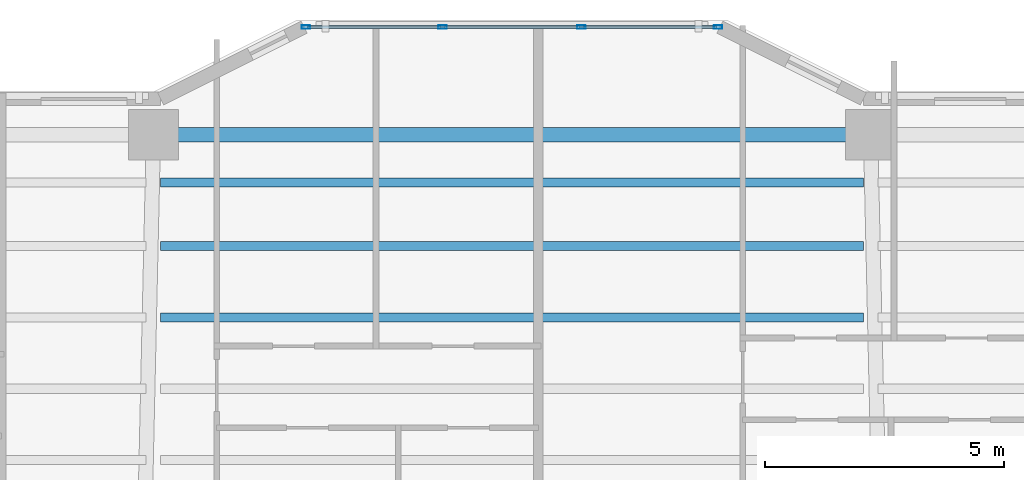
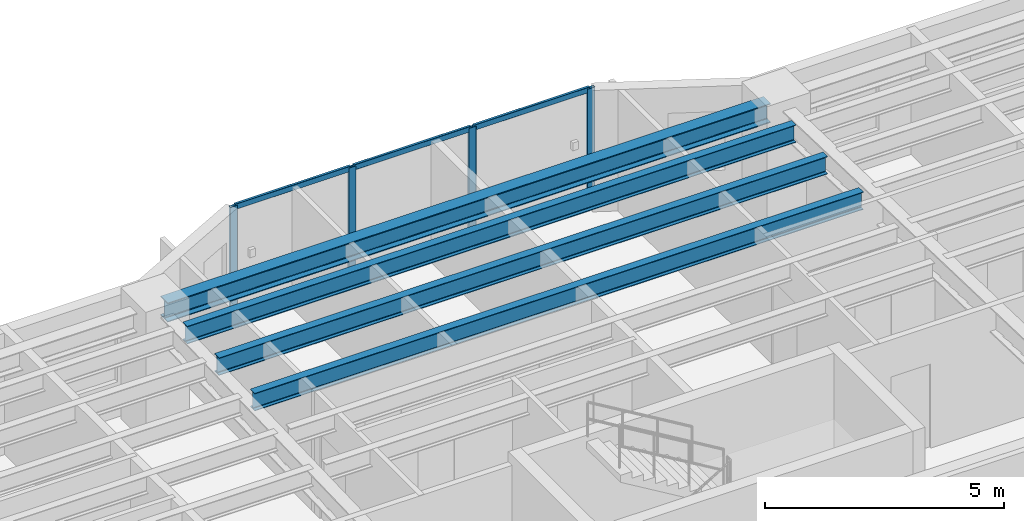
# One storey, part 4 of 19: 10 members, 4 beams, 1 element without a shape of its own.
"""IFC4 building model written with IfcOpenShell, lengths in metres."""

from ifc_helpers import new_model, si_unit, direction, frame, origin, origin_2d, place, context, subcontext, project, spatial, hollow_rectangle, i_section, extrude, material, layer, layer_set, material_profile, profile_set, type_object, element, aggregate, save


model = new_model("IFC4")

# Units and contexts
model_context = context("Model", 3, precision=1e-05, world=origin(), true_north=direction((0.0, 1.0)))
body_context = subcontext(model_context, "Body", "Model", "MODEL_VIEW")
ifc_project = project(units=[si_unit("LENGTHUNIT", "METRE"), si_unit("AREAUNIT", "SQUARE_METRE"), si_unit("VOLUMEUNIT", "CUBIC_METRE"), si_unit("PLANEANGLEUNIT", "RADIAN"), si_unit("MASSUNIT", "GRAM", prefix="KILO")], contexts=[model_context])

# Site, building, storey
site_placement = place(None, origin())
site = spatial("IfcSite", under=ifc_project, at=site_placement, CompositionType="ELEMENT")
building_placement = place(site_placement, origin())
building = spatial("IfcBuilding", under=site, at=building_placement, Name="Tarnavaz Court Tower", CompositionType="ELEMENT")
storey_placement = place(building_placement, frame((0.0, 0.0, 111.800048828125)))
storey = spatial("IfcBuildingStorey", under=building, at=storey_placement, Name="L30", CompositionType="ELEMENT", Elevation=111.800048828125)

# Beams
ifc_material_1 = material(Name="Steel S355", Category="steel")
ifc_material_profile_1 = material_profile(ifc_material_1, i_section(OverallWidth=0.18994140625, OverallDepth=0.449951171875, WebThickness=0.009521484375, FlangeThickness=0.0146484375, FilletRadius=0.02099609375, at=origin_2d()), Name="IPE 450")
ifc_profile_set_1 = profile_set([ifc_material_profile_1], Name="Steel S355")
beam_type_1 = type_object("IfcBeamType", Name="BM-J-IPE450", PredefinedType="JOIST", material=ifc_profile_set_1)
for number, where, z_axis, x_axis, name in (
    (1, (-7.35009765625, 17.48193359375, 2.875), (1.0, 0.0, 0.0), (0.0, 1.0, 0.0), "L30 Beam JN3-2"),
    (2, (-7.35009765625, 18.97607421875, 2.875), (1.0, 0.0, 0.0), (0.0, 1.0, 0.0), "L30 Beam JN4-2"),
    (3, (-7.35009765625, 20.303955078125, 2.875), (1.0, 0.0, 0.0), (0.0, 1.0, 0.0), "L30 Beam JN5-2"),
):
    element("IfcBeam", number, at=place(storey_placement, frame(where, z_axis=z_axis, x_axis=x_axis)), inside=storey, type_object=beam_type_1, Name=name, PredefinedType="JOIST", context=body_context, shape_type="SweptSolid", body=[
        extrude(i_section(OverallWidth=0.18994140625, OverallDepth=0.449951171875, WebThickness=0.009521484375, FlangeThickness=0.0146484375, FilletRadius=0.02099609375, at=origin_2d()), origin(), (0.0, 0.0, 1.0), 14.7001953125),
    ])
ifc_material_profile_2 = material_profile(ifc_material_1, i_section(OverallWidth=0.300048828125, OverallDepth=0.489990234375, WebThickness=0.011962890625, FlangeThickness=0.02294921875, FilletRadius=0.027099609375, at=origin_2d()), Name="HEA 500")
ifc_profile_set_2 = profile_set([ifc_material_profile_2], Name="Steel S355")
beam_type_2 = type_object("IfcBeamType", Name="BM-SP-HEA500", PredefinedType="SPANDREL", material=ifc_profile_set_2)
beam_placement = place(storey_placement, frame((-7.280029296875, 21.300048828125, 2.85498046875), z_axis=(1.0, 0.0, 0.0), x_axis=(0.0, 1.0, 0.0)))
element("IfcBeam", 4, at=beam_placement, inside=storey, type_object=beam_type_2, Name="L30 Beam PR-PN-2-PN-3", PredefinedType="SPANDREL", context=body_context, shape_type="SweptSolid", body=[
    extrude(i_section(OverallWidth=0.300048828125, OverallDepth=0.489990234375, WebThickness=0.011962890625, FlangeThickness=0.02294921875, FilletRadius=0.027099609375, at=origin_2d()), origin(), (0.0, 0.0, 1.0), 14.56005859375),
])

# Curtain wall, members
ifc_material_2 = material(Name="Anodised Aluminium 6063-T6 and Solar Low-E Glazing", Category="aluminium")
ifc_layer = layer(ifc_material_2, 0.179931640625)
ifc_layer_set = layer_set([ifc_layer], Name="Anodised Aluminium 6063-T6 and Solar Low-E Glazing")
curtain_wall_type = type_object("IfcCurtainWallType", Name="CW-SYS-02", PredefinedType="NOTDEFINED", material=ifc_layer_set)
curtain_wall_placement = place(storey_placement, origin())
curtain_wall = element("IfcCurtainWall", 5, at=curtain_wall_placement, inside=storey, type_object=curtain_wall_type, Name="L30 Iwan Prow Curtain Wall 7", PredefinedType="NOTDEFINED")
ifc_material_3 = material(Name="Anodised Aluminium 6063-T6", Category="aluminium")
ifc_material_profile_3 = material_profile(ifc_material_3, hollow_rectangle(XDim=0.074951171875, YDim=0.179931640625, WallThickness=0.0048828125, InnerFilletRadius=0.0048828125, OuterFilletRadius=0.010009765625, at=origin_2d()), Name="ALU RHS 180X75X5")
ifc_profile_set_3 = profile_set([ifc_material_profile_3], Name="Anodised Aluminium 6063-T6")
member_type_1 = type_object("IfcMemberType", Name="CW-MUL-180", PredefinedType="MULLION", material=ifc_profile_set_3)
member_1_placement = place(storey_placement, frame((-4.3125, 23.550048828125, 0.0), z_axis=(0.0, 0.0, 1.0), x_axis=(0.0, 1.0, 0.0)))
member_1 = element("IfcMember", 6, at=member_1_placement, type_object=member_type_1, Name="CW mullion 1", PredefinedType="MULLION", context=body_context, shape_type="SweptSolid", body=[
    extrude(hollow_rectangle(XDim=0.074951171875, YDim=0.179931640625, WallThickness=0.0048828125, InnerFilletRadius=0.0048828125, OuterFilletRadius=0.010009765625, at=origin_2d()), origin(), (0.0, 0.0, 1.0), 3.099853515625),
])
member_2_placement = place(storey_placement, frame((-1.449951171875, 23.550048828125, 0.0), z_axis=(0.0, 0.0, 1.0), x_axis=(0.0, 1.0, 0.0)))
member_2 = element("IfcMember", 7, at=member_2_placement, type_object=member_type_1, Name="CW mullion 2", PredefinedType="MULLION", context=body_context, shape_type="SweptSolid", body=[
    extrude(hollow_rectangle(XDim=0.074951171875, YDim=0.179931640625, WallThickness=0.0048828125, InnerFilletRadius=0.0048828125, OuterFilletRadius=0.010009765625, at=origin_2d()), origin(), (0.0, 0.0, 1.0), 3.099853515625),
])
member_3_placement = place(storey_placement, frame((1.449951171875, 23.550048828125, 0.0), z_axis=(0.0, 0.0, 1.0), x_axis=(0.0, 1.0, 0.0)))
member_3 = element("IfcMember", 8, at=member_3_placement, type_object=member_type_1, Name="CW mullion 3", PredefinedType="MULLION", context=body_context, shape_type="SweptSolid", body=[
    extrude(hollow_rectangle(XDim=0.074951171875, YDim=0.179931640625, WallThickness=0.0048828125, InnerFilletRadius=0.0048828125, OuterFilletRadius=0.010009765625, at=origin_2d()), origin(), (0.0, 0.0, 1.0), 3.099853515625),
])
member_4_placement = place(storey_placement, frame((4.3125, 23.550048828125, 0.0), z_axis=(0.0, 0.0, 1.0), x_axis=(0.0, 1.0, 0.0)))
member_4 = element("IfcMember", 9, at=member_4_placement, type_object=member_type_1, Name="CW mullion 4", PredefinedType="MULLION", context=body_context, shape_type="SweptSolid", body=[
    extrude(hollow_rectangle(XDim=0.074951171875, YDim=0.179931640625, WallThickness=0.0048828125, InnerFilletRadius=0.0048828125, OuterFilletRadius=0.010009765625, at=origin_2d()), origin(), (0.0, 0.0, 1.0), 3.099853515625),
])
ifc_material_profile_4 = material_profile(ifc_material_3, hollow_rectangle(XDim=0.06494140625, YDim=0.139892578125, WallThickness=0.00390625, InnerFilletRadius=0.00390625, OuterFilletRadius=0.008056640625, at=origin_2d()), Name="ALU RHS 140X65X4")
ifc_profile_set_4 = profile_set([ifc_material_profile_4], Name="Anodised Aluminium 6063-T6")
member_type_2 = type_object("IfcMemberType", Name="CW-TRN-140", PredefinedType="USERDEFINED", material=ifc_profile_set_4)
member_5_placement = place(storey_placement, frame((-4.27490234375, 23.550048828125, 0.032470703125), z_axis=(1.0, 0.0, 0.0), x_axis=(0.0, 1.0, 0.0)))
member_5 = element("IfcMember", 10, at=member_5_placement, type_object=member_type_2, Name="CW transom 1.1", ObjectType="TRANSOM", PredefinedType="USERDEFINED", context=body_context, shape_type="SweptSolid", body=[
    extrude(hollow_rectangle(XDim=0.06494140625, YDim=0.139892578125, WallThickness=0.00390625, InnerFilletRadius=0.00390625, OuterFilletRadius=0.008056640625, at=origin_2d()), origin(), (0.0, 0.0, 1.0), 2.787353515625),
])
member_6_placement = place(storey_placement, frame((-4.27490234375, 23.550048828125, 3.0673828125), z_axis=(1.0, 0.0, 0.0), x_axis=(0.0, 1.0, 0.0)))
member_6 = element("IfcMember", 11, at=member_6_placement, type_object=member_type_2, Name="CW transom 1.2", ObjectType="TRANSOM", PredefinedType="USERDEFINED", context=body_context, shape_type="SweptSolid", body=[
    extrude(hollow_rectangle(XDim=0.06494140625, YDim=0.139892578125, WallThickness=0.00390625, InnerFilletRadius=0.00390625, OuterFilletRadius=0.008056640625, at=origin_2d()), origin(), (0.0, 0.0, 1.0), 2.787353515625),
])
member_7_placement = place(storey_placement, frame((-1.41259765625, 23.550048828125, 0.032470703125), z_axis=(1.0, 0.0, 0.0), x_axis=(0.0, 1.0, 0.0)))
member_7 = element("IfcMember", 12, at=member_7_placement, type_object=member_type_2, Name="CW transom 2.1", ObjectType="TRANSOM", PredefinedType="USERDEFINED", context=body_context, shape_type="SweptSolid", body=[
    extrude(hollow_rectangle(XDim=0.06494140625, YDim=0.139892578125, WallThickness=0.00390625, InnerFilletRadius=0.00390625, OuterFilletRadius=0.008056640625, at=origin_2d()), origin(), (0.0, 0.0, 1.0), 2.8251953125),
])
member_8_placement = place(storey_placement, frame((-1.41259765625, 23.550048828125, 3.0673828125), z_axis=(1.0, 0.0, 0.0), x_axis=(0.0, 1.0, 0.0)))
member_8 = element("IfcMember", 13, at=member_8_placement, type_object=member_type_2, Name="CW transom 2.2", ObjectType="TRANSOM", PredefinedType="USERDEFINED", context=body_context, shape_type="SweptSolid", body=[
    extrude(hollow_rectangle(XDim=0.06494140625, YDim=0.139892578125, WallThickness=0.00390625, InnerFilletRadius=0.00390625, OuterFilletRadius=0.008056640625, at=origin_2d()), origin(), (0.0, 0.0, 1.0), 2.8251953125),
])
member_9_placement = place(storey_placement, frame((1.487548828125, 23.550048828125, 0.032470703125), z_axis=(1.0, 0.0, 0.0), x_axis=(0.0, 1.0, 0.0)))
member_9 = element("IfcMember", 14, at=member_9_placement, type_object=member_type_2, Name="CW transom 3.1", ObjectType="TRANSOM", PredefinedType="USERDEFINED", context=body_context, shape_type="SweptSolid", body=[
    extrude(hollow_rectangle(XDim=0.06494140625, YDim=0.139892578125, WallThickness=0.00390625, InnerFilletRadius=0.00390625, OuterFilletRadius=0.008056640625, at=origin_2d()), origin(), (0.0, 0.0, 1.0), 2.787353515625),
])
member_10_placement = place(storey_placement, frame((1.487548828125, 23.550048828125, 3.0673828125), z_axis=(1.0, 0.0, 0.0), x_axis=(0.0, 1.0, 0.0)))
member_10 = element("IfcMember", 15, at=member_10_placement, type_object=member_type_2, Name="CW transom 3.2", ObjectType="TRANSOM", PredefinedType="USERDEFINED", context=body_context, shape_type="SweptSolid", body=[
    extrude(hollow_rectangle(XDim=0.06494140625, YDim=0.139892578125, WallThickness=0.00390625, InnerFilletRadius=0.00390625, OuterFilletRadius=0.008056640625, at=origin_2d()), origin(), (0.0, 0.0, 1.0), 2.787353515625),
])
aggregate(curtain_wall, [member_1, member_2, member_3, member_4, member_5, member_6, member_7, member_8, member_9, member_10])

save(model, "model.ifc")
